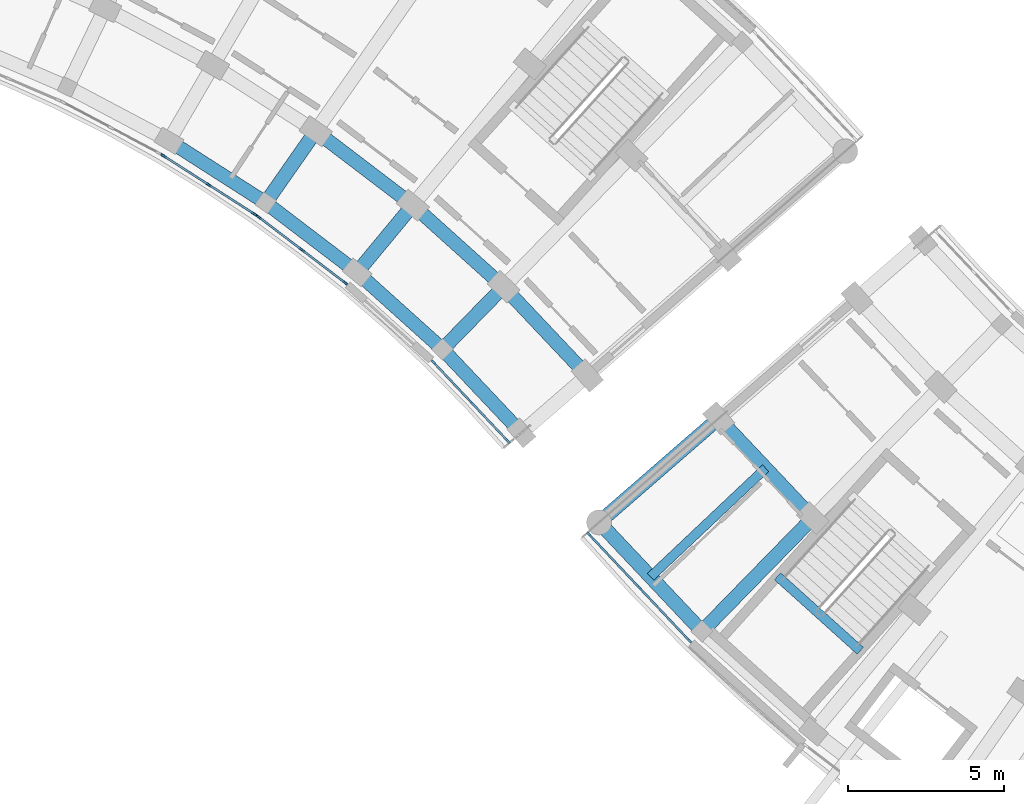
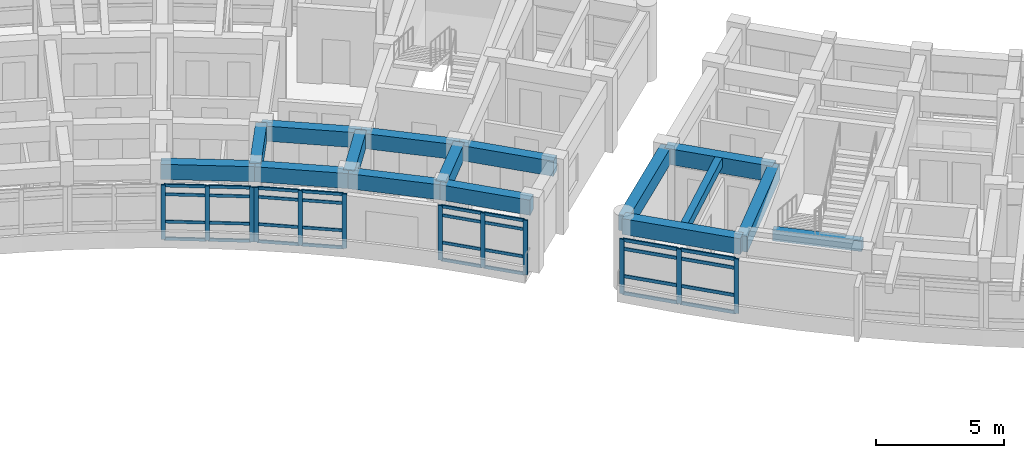
# One storey, part 29 of 83: 44 members, 16 beams, 4 elements without a shape of their own.
"""IFC4 building model written with IfcOpenShell, lengths in metres."""

from ifc_helpers import new_model, si_unit, direction, frame, origin, origin_2d, place, context, subcontext, project, spatial, rectangle, extrude, material, material_profile, profile_set, type_object, element, aggregate, save


model = new_model("IFC4")

# Units and contexts
model_context = context("Model", 3, precision=1e-05, world=origin(), true_north=direction((0.0, 1.0)))
body_context = subcontext(model_context, "Body", "Model", "MODEL_VIEW")
ifc_project = project(units=[si_unit("LENGTHUNIT", "METRE"), si_unit("AREAUNIT", "SQUARE_METRE"), si_unit("VOLUMEUNIT", "CUBIC_METRE"), si_unit("PLANEANGLEUNIT", "RADIAN"), si_unit("MASSUNIT", "GRAM", prefix="KILO")], contexts=[model_context])

# Site, building, storey
site_placement = place(None, origin())
site = spatial("IfcSite", under=ifc_project, at=site_placement, CompositionType="ELEMENT")
building_placement = place(site_placement, origin())
building = spatial("IfcBuilding", under=site, at=building_placement, Name="Zimvara Arc Housing Community", CompositionType="ELEMENT")
storey_placement = place(building_placement, frame((0.0, 0.0, 4.5)))
storey = spatial("IfcBuildingStorey", under=building, at=storey_placement, Name="L01", CompositionType="ELEMENT", Elevation=4.5)

# Beams
ifc_material_1 = material(Name="Concrete C40/50", Category="concrete")
ifc_material_profile_1 = material_profile(ifc_material_1, rectangle(XDim=0.300048828125, YDim=0.449951171875, at=origin_2d()), Name="RC 300x450")
ifc_profile_set_1 = profile_set([ifc_material_profile_1], Name="Concrete C40/50")
beam_type_1 = type_object("IfcBeamType", Name="BM-RC-300x450", PredefinedType="JOIST", material=ifc_profile_set_1)
beam_1_placement = place(storey_placement, frame((86.88427734375, 72.966552734375, 3.135009765625), z_axis=(-0.727299876429, -0.686319815936, 0.0), x_axis=(0.686319815936, -0.727299876429, 0.0)))
element("IfcBeam", 1, at=beam_1_placement, inside=storey, type_object=beam_type_1, Name="bm:blkC:L01:joist:b0", PredefinedType="JOIST", context=body_context, shape_type="SweptSolid", body=[
    extrude(rectangle(XDim=0.300048828125, YDim=0.449951171875, at=origin_2d()), origin(), (0.0, 0.0, 1.0), 5.075927734375),
])
ifc_material_2 = material(Name="Concrete C40/50", Category="concrete")
ifc_material_profile_2 = material_profile(ifc_material_2, rectangle(XDim=0.300048828125, YDim=0.5, at=origin_2d()), Name="RC 300x500")
ifc_profile_set_2 = profile_set([ifc_material_profile_2], Name="Concrete C40/50")
beam_type_2 = type_object("IfcBeamType", Name="BM-RC-300x500", PredefinedType="BEAM", material=ifc_profile_set_2)
beam_2_placement = place(storey_placement, frame((87.264404296875, 69.50048828125, 1.550048828125), z_axis=(0.74342674804, -0.668817366924, 0.0), x_axis=(0.668817366924, 0.74342674804, 0.0)))
element("IfcBeam", 2, at=beam_2_placement, inside=storey, type_object=beam_type_2, Name="bm:stair_trim:ST-C1:L01:mid", PredefinedType="BEAM", context=body_context, shape_type="SweptSolid", body=[
    extrude(rectangle(XDim=0.300048828125, YDim=0.5, at=origin_2d()), origin(), (0.0, 0.0, 1.0), 3.570068359375),
])
ifc_material_3 = material(Name="Concrete C40/50", Category="concrete")
ifc_material_profile_3 = material_profile(ifc_material_3, rectangle(XDim=0.43994140625, YDim=0.719970703125, at=origin_2d()), Name="RC 440x720")
ifc_profile_set_3 = profile_set([ifc_material_profile_3], Name="Concrete C40/50")
beam_type_3 = type_object("IfcBeamType", Name="BM-RC-440x720", PredefinedType="BEAM", material=ifc_profile_set_3)
beam_3_placement = place(storey_placement, frame((67.750732421875, 83.46435546875, 3.0), z_axis=(0.842272604079, -0.539051816079, 0.0), x_axis=(0.539051816079, 0.842272604079, 0.0)))
element("IfcBeam", 3, at=beam_3_placement, inside=storey, type_object=beam_type_3, Name="bm:blkB:L01:chord:r0:b6", PredefinedType="BEAM", context=body_context, shape_type="SweptSolid", body=[
    extrude(rectangle(XDim=0.43994140625, YDim=0.719970703125, at=origin_2d()), origin(), (0.0, 0.0, 1.0), 3.684326171875),
])
beam_4_placement = place(storey_placement, frame((70.85400390625, 81.478271484375, 3.0), z_axis=(0.795453014049, -0.606015265847, 0.0), x_axis=(0.606015265847, 0.795453014049, 0.0)))
element("IfcBeam", 4, at=beam_4_placement, inside=storey, type_object=beam_type_3, Name="bm:blkB:L01:chord:r0:b7", PredefinedType="BEAM", context=body_context, shape_type="SweptSolid", body=[
    extrude(rectangle(XDim=0.43994140625, YDim=0.719970703125, at=origin_2d()), origin(), (0.0, 0.0, 1.0), 3.6845703125),
])
beam_5_placement = place(storey_placement, frame((73.784912109375, 79.245361328125, 3.0), z_axis=(0.743366631239, -0.668884183966, 0.0), x_axis=(0.668884183966, 0.743366631239, 0.0)))
element("IfcBeam", 5, at=beam_5_placement, inside=storey, type_object=beam_type_3, Name="bm:blkB:L01:chord:r0:b8", PredefinedType="BEAM", context=body_context, shape_type="SweptSolid", body=[
    extrude(rectangle(XDim=0.43994140625, YDim=0.719970703125, at=origin_2d()), origin(), (0.0, 0.0, 1.0), 3.684326171875),
])
beam_6_placement = place(storey_placement, frame((76.523681640625, 76.781005859375, 3.0), z_axis=(0.686335517678, -0.727285059088, 0.0), x_axis=(0.727285059088, 0.686335517678, 0.0)))
element("IfcBeam", 6, at=beam_6_placement, inside=storey, type_object=beam_type_3, Name="bm:blkB:L01:chord:r0:b9", PredefinedType="BEAM", context=body_context, shape_type="SweptSolid", body=[
    extrude(rectangle(XDim=0.43994140625, YDim=0.719970703125, at=origin_2d()), origin(), (0.0, 0.0, 1.0), 3.6845703125),
])
for number, where, z_axis, x_axis, name in (
    (7, (72.458251953125, 83.77294921875, 3.0), (0.795470387579, -0.605992460749, 0.0), (0.605992460749, 0.795470387579, 0.0), "bm:blkB:L01:chord:r1:b7"),
    (8, (75.571044921875, 81.401611328125, 3.0), (0.743402719516, -0.668844074965, 0.0), (0.668844074965, 0.743402719516, 0.0), "bm:blkB:L01:chord:r1:b8"),
):
    element("IfcBeam", number, at=place(storey_placement, frame(where, z_axis=z_axis, x_axis=x_axis)), inside=storey, type_object=beam_type_3, Name=name, PredefinedType="BEAM", context=body_context, shape_type="SweptSolid", body=[
        extrude(rectangle(XDim=0.43994140625, YDim=0.719970703125, at=origin_2d()), origin(), (0.0, 0.0, 1.0), 3.9130859375),
    ])
beam_7_placement = place(storey_placement, frame((78.47998046875, 78.784423828125, 3.0), z_axis=(0.686315710793, -0.727303750243, 0.0), x_axis=(0.727303750243, 0.686315710793, 0.0)))
element("IfcBeam", 9, at=beam_7_placement, inside=storey, type_object=beam_type_3, Name="bm:blkB:L01:chord:r1:b9", PredefinedType="BEAM", context=body_context, shape_type="SweptSolid", body=[
    extrude(rectangle(XDim=0.43994140625, YDim=0.719970703125, at=origin_2d()), origin(), (0.0, 0.0, 1.0), 3.913330078125),
])
ifc_material_4 = material(Name="Concrete C40/50", Category="concrete")
ifc_material_profile_4 = material_profile(ifc_material_4, rectangle(XDim=0.449951171875, YDim=0.75, at=origin_2d()), Name="RC 450x750")
ifc_profile_set_4 = profile_set([ifc_material_profile_4], Name="Concrete C40/50")
beam_type_4 = type_object("IfcBeamType", Name="BM-RC-450x750", PredefinedType="BEAM", material=ifc_profile_set_4)
beam_8_placement = place(storey_placement, frame((70.85400390625, 81.478271484375, 2.985107421875), z_axis=(0.57297651105, 0.819571789281, 0.0), x_axis=(-0.819571789281, 0.57297651105, 0.0)))
element("IfcBeam", 10, at=beam_8_placement, inside=storey, type_object=beam_type_4, Name="bm:blkB:L01:rad:b7:r01", PredefinedType="BEAM", context=body_context, shape_type="SweptSolid", body=[
    extrude(rectangle(XDim=0.449951171875, YDim=0.75, at=origin_2d()), origin(), (0.0, 0.0, 1.0), 2.7998046875),
])
for number, where, z_axis, x_axis, name in (
    (11, (73.784912109375, 79.245361328125, 2.985107421875), (0.637917412223, 0.770104781951, 0.0), (-0.770104781951, 0.637917412223, 0.0), "bm:blkB:L01:rad:b8:r01"),
    (12, (76.523681640625, 76.781005859375, 2.985107421875), (0.698643013894, 0.71547043205, 0.0), (-0.71547043205, 0.698643013894, 0.0), "bm:blkB:L01:rad:b9:r01"),
):
    element("IfcBeam", number, at=place(storey_placement, frame(where, z_axis=z_axis, x_axis=x_axis)), inside=storey, type_object=beam_type_4, Name=name, PredefinedType="BEAM", context=body_context, shape_type="SweptSolid", body=[
        extrude(rectangle(XDim=0.449951171875, YDim=0.75, at=origin_2d()), origin(), (0.0, 0.0, 1.0), 2.800048828125),
    ])
beam_9_placement = place(storey_placement, frame((85.376708984375, 74.56396484375, 2.985107421875), z_axis=(0.686331377274, -0.727288966347, 0.0), x_axis=(0.727288966347, 0.686331377274, 0.0)))
element("IfcBeam", 13, at=beam_9_placement, inside=storey, type_object=beam_type_4, Name="bm:blkC:L01:chord:r2:b0", PredefinedType="BEAM", context=body_context, shape_type="SweptSolid", body=[
    extrude(rectangle(XDim=0.449951171875, YDim=0.75, at=origin_2d()), origin(), (0.0, 0.0, 1.0), 4.39306640625),
])
beam_10_placement = place(storey_placement, frame((81.542724609375, 71.231201171875, 2.985107421875), z_axis=(0.686320791145, -0.727298956168, 0.0), x_axis=(0.727298956168, 0.686320791145, 0.0)))
element("IfcBeam", 14, at=beam_10_placement, inside=storey, type_object=beam_type_4, Name="bm:blkC:L01:chord:r3:b0", PredefinedType="BEAM", context=body_context, shape_type="SweptSolid", body=[
    extrude(rectangle(XDim=0.449951171875, YDim=0.75, at=origin_2d()), origin(), (0.0, 0.0, 1.0), 4.807861328125),
])
for number, where, z_axis, x_axis, name in (
    (15, (85.376708984375, 74.56396484375, 2.985107421875), (-0.754716217499, -0.656051393599, 0.0), (0.656051393599, -0.754716217499, 0.0), "bm:blkC:L01:rad:b0:r23"),
    (16, (88.391845703125, 71.368896484375, 2.985107421875), (-0.698670885014, -0.71544321538, 0.0), (0.71544321538, -0.698670885014, 0.0), "bm:blkC:L01:rad:b1:r23"),
):
    element("IfcBeam", number, at=place(storey_placement, frame(where, z_axis=z_axis, x_axis=x_axis)), inside=storey, type_object=beam_type_4, Name=name, PredefinedType="BEAM", context=body_context, shape_type="SweptSolid", body=[
        extrude(rectangle(XDim=0.449951171875, YDim=0.75, at=origin_2d()), origin(), (0.0, 0.0, 1.0), 5.080078125),
    ])

# Curtain wall, members
ifc_material_5 = material(Name="Anodised Aluminium AW-6063", Category="aluminium")
curtain_wall_type_1 = type_object("IfcCurtainWallType", Name="CW-SYS-04", PredefinedType="USERDEFINED", material=ifc_material_5)
curtain_wall_1_placement = place(storey_placement, origin())
curtain_wall_1 = element("IfcCurtainWall", 17, at=curtain_wall_1_placement, inside=storey, type_object=curtain_wall_type_1, Name="cw:blkB:L01:in:b6", ObjectType="CURTAIN WALL", PredefinedType="USERDEFINED")
ifc_material_6 = material(Name="Anodised Aluminium AW-6063", Category="aluminium")
ifc_material_profile_5 = material_profile(ifc_material_6, rectangle(XDim=0.06494140625, YDim=0.179931640625, at=origin_2d()), Name="ALU 65x180")
ifc_profile_set_5 = profile_set([ifc_material_profile_5], Name="Anodised Aluminium AW-6063")
member_type_1 = type_object("IfcMemberType", Name="CWM-65x150", PredefinedType="MULLION", material=ifc_profile_set_5)
member_1_placement = place(storey_placement, frame((67.576416015625, 82.982666015625, 0.0), z_axis=(0.0, 0.0, 1.0), x_axis=(0.539064085203, 0.842264751752, 0.0)))
member_1 = element("IfcMember", 18, at=member_1_placement, type_object=member_type_1, Name="CW04 mullion 1", PredefinedType="MULLION", context=body_context, shape_type="SweptSolid", body=[
    extrude(rectangle(XDim=0.06494140625, YDim=0.179931640625, at=origin_2d()), origin(), (0.0, 0.0, 1.0), 2.60009765625),
])
member_2_placement = place(storey_placement, frame((69.032958984375, 82.050537109375, 0.0), z_axis=(0.0, 0.0, 1.0), x_axis=(0.539064085203, 0.842264751752, 0.0)))
member_2 = element("IfcMember", 19, at=member_2_placement, type_object=member_type_1, Name="CW04 mullion 2", PredefinedType="MULLION", context=body_context, shape_type="SweptSolid", body=[
    extrude(rectangle(XDim=0.06494140625, YDim=0.179931640625, at=origin_2d()), origin(), (0.0, 0.0, 1.0), 2.60009765625),
])
member_3_placement = place(storey_placement, frame((70.489501953125, 81.118408203125, 0.0), z_axis=(0.0, 0.0, 1.0), x_axis=(0.539064085203, 0.842264751752, 0.0)))
member_3 = element("IfcMember", 20, at=member_3_placement, type_object=member_type_1, Name="CW04 mullion 3", PredefinedType="MULLION", context=body_context, shape_type="SweptSolid", body=[
    extrude(rectangle(XDim=0.06494140625, YDim=0.179931640625, at=origin_2d()), origin(), (0.0, 0.0, 1.0), 2.60009765625),
])

ifc_material_7 = material(Name="Anodised Aluminium AW-6063", Category="aluminium")
curtain_wall_type_2 = type_object("IfcCurtainWallType", Name="CW-SYS-06", PredefinedType="USERDEFINED", material=ifc_material_7)
curtain_wall_2_placement = place(storey_placement, origin())
curtain_wall_2 = element("IfcCurtainWall", 21, at=curtain_wall_2_placement, inside=storey, type_object=curtain_wall_type_2, Name="cw:blkB:L01:in:b7", ObjectType="CURTAIN WALL", PredefinedType="USERDEFINED")
member_4_placement = place(storey_placement, frame((70.64111328125, 81.012451171875, 0.0), z_axis=(0.0, 0.0, 1.0), x_axis=(0.605988318533, 0.795473543119, 0.0)))
member_4 = element("IfcMember", 22, at=member_4_placement, type_object=member_type_1, Name="CW06 mullion 1", PredefinedType="MULLION", context=body_context, shape_type="SweptSolid", body=[
    extrude(rectangle(XDim=0.06494140625, YDim=0.179931640625, at=origin_2d()), origin(), (0.0, 0.0, 1.0), 2.60009765625),
])
member_5_placement = place(storey_placement, frame((72.0166015625, 79.96435546875, 0.0), z_axis=(0.0, 0.0, 1.0), x_axis=(0.605988318533, 0.795473543119, 0.0)))
member_5 = element("IfcMember", 23, at=member_5_placement, type_object=member_type_1, Name="CW06 mullion 2", PredefinedType="MULLION", context=body_context, shape_type="SweptSolid", body=[
    extrude(rectangle(XDim=0.06494140625, YDim=0.179931640625, at=origin_2d()), origin(), (0.0, 0.0, 1.0), 2.60009765625),
])
member_6_placement = place(storey_placement, frame((73.392333984375, 78.91650390625, 0.0), z_axis=(0.0, 0.0, 1.0), x_axis=(0.605988318533, 0.795473543119, 0.0)))
member_6 = element("IfcMember", 24, at=member_6_placement, type_object=member_type_1, Name="CW06 mullion 3", PredefinedType="MULLION", context=body_context, shape_type="SweptSolid", body=[
    extrude(rectangle(XDim=0.06494140625, YDim=0.179931640625, at=origin_2d()), origin(), (0.0, 0.0, 1.0), 2.60009765625),
])

ifc_material_8 = material(Name="Anodised Aluminium AW-6063", Category="aluminium")
curtain_wall_type_3 = type_object("IfcCurtainWallType", Name="CW-SYS-08", PredefinedType="USERDEFINED", material=ifc_material_8)
curtain_wall_3_placement = place(storey_placement, origin())
curtain_wall_3 = element("IfcCurtainWall", 25, at=curtain_wall_3_placement, inside=storey, type_object=curtain_wall_type_3, Name="cw:blkB:L01:in:b9", ObjectType="CURTAIN WALL", PredefinedType="USERDEFINED")
member_7_placement = place(storey_placement, frame((76.238037109375, 76.35595703125, 0.0), z_axis=(0.0, 0.0, 1.0), x_axis=(0.727293280483, 0.686326805658, 0.0)))
member_7 = element("IfcMember", 26, at=member_7_placement, type_object=member_type_1, Name="CW08 mullion 1", PredefinedType="MULLION", context=body_context, shape_type="SweptSolid", body=[
    extrude(rectangle(XDim=0.06494140625, YDim=0.179931640625, at=origin_2d()), origin(), (0.0, 0.0, 1.0), 2.60009765625),
])
member_8_placement = place(storey_placement, frame((77.4248046875, 75.098388671875, 0.0), z_axis=(0.0, 0.0, 1.0), x_axis=(0.727293280483, 0.686326805658, 0.0)))
member_8 = element("IfcMember", 27, at=member_8_placement, type_object=member_type_1, Name="CW08 mullion 2", PredefinedType="MULLION", context=body_context, shape_type="SweptSolid", body=[
    extrude(rectangle(XDim=0.06494140625, YDim=0.179931640625, at=origin_2d()), origin(), (0.0, 0.0, 1.0), 2.60009765625),
])
member_9_placement = place(storey_placement, frame((78.611572265625, 73.840576171875, 0.0), z_axis=(0.0, 0.0, 1.0), x_axis=(0.727293280483, 0.686326805658, 0.0)))
member_9 = element("IfcMember", 28, at=member_9_placement, type_object=member_type_1, Name="CW08 mullion 3", PredefinedType="MULLION", context=body_context, shape_type="SweptSolid", body=[
    extrude(rectangle(XDim=0.06494140625, YDim=0.179931640625, at=origin_2d()), origin(), (0.0, 0.0, 1.0), 2.60009765625),
])

ifc_material_9 = material(Name="Anodised Aluminium AW-6063", Category="aluminium")
curtain_wall_type_4 = type_object("IfcCurtainWallType", Name="CW-SYS-05", PredefinedType="USERDEFINED", material=ifc_material_9)
curtain_wall_4_placement = place(storey_placement, origin())
curtain_wall_4 = element("IfcCurtainWall", 29, at=curtain_wall_4_placement, inside=storey, type_object=curtain_wall_type_4, Name="cw:blkC:L01:out:b0", ObjectType="CURTAIN WALL", PredefinedType="USERDEFINED")
ifc_material_10 = material(Name="Anodised Aluminium AW-6063", Category="aluminium")
ifc_material_profile_6 = material_profile(ifc_material_10, rectangle(XDim=0.06494140625, YDim=0.195068359375, at=origin_2d()), Name="ALU 65x195")
ifc_profile_set_6 = profile_set([ifc_material_profile_6], Name="Anodised Aluminium AW-6063")
member_type_2 = type_object("IfcMemberType", Name="CWM-65x180", PredefinedType="MULLION", material=ifc_profile_set_6)
member_10_placement = place(storey_placement, frame((81.228759765625, 70.8359375, 0.0), z_axis=(0.0, 0.0, 1.0), x_axis=(0.727293647725, 0.686326416495, 0.0)))
member_10 = element("IfcMember", 30, at=member_10_placement, type_object=member_type_2, Name="CW05 mullion 1", PredefinedType="MULLION", context=body_context, shape_type="SweptSolid", body=[
    extrude(rectangle(XDim=0.06494140625, YDim=0.195068359375, at=origin_2d()), origin(), (0.0, 0.0, 1.0), 2.60009765625),
])
member_11_placement = place(storey_placement, frame((82.829345703125, 69.139892578125, 0.0), z_axis=(0.0, 0.0, 1.0), x_axis=(0.727293647725, 0.686326416495, 0.0)))
member_11 = element("IfcMember", 31, at=member_11_placement, type_object=member_type_2, Name="CW05 mullion 2", PredefinedType="MULLION", context=body_context, shape_type="SweptSolid", body=[
    extrude(rectangle(XDim=0.06494140625, YDim=0.195068359375, at=origin_2d()), origin(), (0.0, 0.0, 1.0), 2.60009765625),
])
member_12_placement = place(storey_placement, frame((84.4296875, 67.44384765625, 0.0), z_axis=(0.0, 0.0, 1.0), x_axis=(0.727293647725, 0.686326416495, 0.0)))
member_12 = element("IfcMember", 32, at=member_12_placement, type_object=member_type_2, Name="CW05 mullion 3", PredefinedType="MULLION", context=body_context, shape_type="SweptSolid", body=[
    extrude(rectangle(XDim=0.06494140625, YDim=0.195068359375, at=origin_2d()), origin(), (0.0, 0.0, 1.0), 2.60009765625),
])

# Member
ifc_material_11 = material(Name="Anodised Aluminium AW-6063", Category="aluminium")
ifc_material_profile_7 = material_profile(ifc_material_11, rectangle(XDim=0.06494140625, YDim=0.139892578125, at=origin_2d()), Name="ALU 65x140")
ifc_profile_set_7 = profile_set([ifc_material_profile_7], Name="Anodised Aluminium AW-6063")
member_type_3 = type_object("IfcMemberType", Name="CWT-65x120", PredefinedType="USERDEFINED", material=ifc_profile_set_7)
member_13_placement = place(storey_placement, frame((67.603759765625, 82.965087890625, 0.032470703125), z_axis=(0.842330007588, -0.538962112135, 0.0), x_axis=(0.538962112135, 0.842330007588, 0.0)))
member_13 = element("IfcMember", 33, at=member_13_placement, type_object=member_type_3, Name="CW04 transom 1.1", ObjectType="TRANSOM", PredefinedType="USERDEFINED", context=body_context, shape_type="SweptSolid", body=[
    extrude(rectangle(XDim=0.06494140625, YDim=0.139892578125, at=origin_2d()), origin(), (0.0, 0.0, 1.0), 1.664306640625),
])

member_14_placement = place(storey_placement, frame((67.603759765625, 82.965087890625, 0.85009765625), z_axis=(0.842330007588, -0.538962112135, 0.0), x_axis=(0.538962112135, 0.842330007588, 0.0)))
member_14 = element("IfcMember", 34, at=member_14_placement, type_object=member_type_3, Name="CW04 transom 1.2", ObjectType="TRANSOM", PredefinedType="USERDEFINED", context=body_context, shape_type="SweptSolid", body=[
    extrude(rectangle(XDim=0.06494140625, YDim=0.139892578125, at=origin_2d()), origin(), (0.0, 0.0, 1.0), 1.664306640625),
])

member_15_placement = place(storey_placement, frame((67.603759765625, 82.965087890625, 2.14990234375), z_axis=(0.842330007588, -0.538962112135, 0.0), x_axis=(0.538962112135, 0.842330007588, 0.0)))
member_15 = element("IfcMember", 35, at=member_15_placement, type_object=member_type_3, Name="CW04 transom 1.3", ObjectType="TRANSOM", PredefinedType="USERDEFINED", context=body_context, shape_type="SweptSolid", body=[
    extrude(rectangle(XDim=0.06494140625, YDim=0.139892578125, at=origin_2d()), origin(), (0.0, 0.0, 1.0), 1.664306640625),
])

member_16_placement = place(storey_placement, frame((67.603759765625, 82.965087890625, 2.5673828125), z_axis=(0.842330007588, -0.538962112135, 0.0), x_axis=(0.538962112135, 0.842330007588, 0.0)))
member_16 = element("IfcMember", 36, at=member_16_placement, type_object=member_type_3, Name="CW04 transom 1.4", ObjectType="TRANSOM", PredefinedType="USERDEFINED", context=body_context, shape_type="SweptSolid", body=[
    extrude(rectangle(XDim=0.06494140625, YDim=0.139892578125, at=origin_2d()), origin(), (0.0, 0.0, 1.0), 1.664306640625),
])

member_17_placement = place(storey_placement, frame((69.060302734375, 82.032958984375, 0.032470703125), z_axis=(0.842263408668, -0.539066183709, 0.0), x_axis=(0.539066183709, 0.842263408668, 0.0)))
member_17 = element("IfcMember", 37, at=member_17_placement, type_object=member_type_3, Name="CW04 transom 2.1", ObjectType="TRANSOM", PredefinedType="USERDEFINED", context=body_context, shape_type="SweptSolid", body=[
    extrude(rectangle(XDim=0.06494140625, YDim=0.139892578125, at=origin_2d()), origin(), (0.0, 0.0, 1.0), 1.664306640625),
])

member_18_placement = place(storey_placement, frame((69.060302734375, 82.032958984375, 0.85009765625), z_axis=(0.842263408668, -0.539066183709, 0.0), x_axis=(0.539066183709, 0.842263408668, 0.0)))
member_18 = element("IfcMember", 38, at=member_18_placement, type_object=member_type_3, Name="CW04 transom 2.2", ObjectType="TRANSOM", PredefinedType="USERDEFINED", context=body_context, shape_type="SweptSolid", body=[
    extrude(rectangle(XDim=0.06494140625, YDim=0.139892578125, at=origin_2d()), origin(), (0.0, 0.0, 1.0), 1.664306640625),
])

member_19_placement = place(storey_placement, frame((69.060302734375, 82.032958984375, 2.14990234375), z_axis=(0.842263408668, -0.539066183709, 0.0), x_axis=(0.539066183709, 0.842263408668, 0.0)))
member_19 = element("IfcMember", 39, at=member_19_placement, type_object=member_type_3, Name="CW04 transom 2.3", ObjectType="TRANSOM", PredefinedType="USERDEFINED", context=body_context, shape_type="SweptSolid", body=[
    extrude(rectangle(XDim=0.06494140625, YDim=0.139892578125, at=origin_2d()), origin(), (0.0, 0.0, 1.0), 1.664306640625),
])

member_20_placement = place(storey_placement, frame((69.060302734375, 82.032958984375, 2.5673828125), z_axis=(0.842263408668, -0.539066183709, 0.0), x_axis=(0.539066183709, 0.842263408668, 0.0)))
member_20 = element("IfcMember", 40, at=member_20_placement, type_object=member_type_3, Name="CW04 transom 2.4", ObjectType="TRANSOM", PredefinedType="USERDEFINED", context=body_context, shape_type="SweptSolid", body=[
    extrude(rectangle(XDim=0.06494140625, YDim=0.139892578125, at=origin_2d()), origin(), (0.0, 0.0, 1.0), 1.664306640625),
])

aggregate(curtain_wall_1, [member_1, member_2, member_3, member_13, member_14, member_15, member_16, member_17, member_18, member_19, member_20])

member_21_placement = place(storey_placement, frame((70.6669921875, 80.99267578125, 0.032470703125), z_axis=(0.795435087713, -0.606038795157, 0.0), x_axis=(0.606038795157, 0.795435087713, 0.0)))
member_21 = element("IfcMember", 41, at=member_21_placement, type_object=member_type_3, Name="CW06 transom 1.1", ObjectType="TRANSOM", PredefinedType="USERDEFINED", context=body_context, shape_type="SweptSolid", body=[
    extrude(rectangle(XDim=0.06494140625, YDim=0.139892578125, at=origin_2d()), origin(), (0.0, 0.0, 1.0), 1.6640625),
])

member_22_placement = place(storey_placement, frame((70.6669921875, 80.99267578125, 0.85009765625), z_axis=(0.795435087713, -0.606038795157, 0.0), x_axis=(0.606038795157, 0.795435087713, 0.0)))
member_22 = element("IfcMember", 42, at=member_22_placement, type_object=member_type_3, Name="CW06 transom 1.2", ObjectType="TRANSOM", PredefinedType="USERDEFINED", context=body_context, shape_type="SweptSolid", body=[
    extrude(rectangle(XDim=0.06494140625, YDim=0.139892578125, at=origin_2d()), origin(), (0.0, 0.0, 1.0), 1.6640625),
])

member_23_placement = place(storey_placement, frame((70.6669921875, 80.99267578125, 2.14990234375), z_axis=(0.795435087713, -0.606038795157, 0.0), x_axis=(0.606038795157, 0.795435087713, 0.0)))
member_23 = element("IfcMember", 43, at=member_23_placement, type_object=member_type_3, Name="CW06 transom 1.3", ObjectType="TRANSOM", PredefinedType="USERDEFINED", context=body_context, shape_type="SweptSolid", body=[
    extrude(rectangle(XDim=0.06494140625, YDim=0.139892578125, at=origin_2d()), origin(), (0.0, 0.0, 1.0), 1.6640625),
])

member_24_placement = place(storey_placement, frame((70.6669921875, 80.99267578125, 2.5673828125), z_axis=(0.795435087713, -0.606038795157, 0.0), x_axis=(0.606038795157, 0.795435087713, 0.0)))
member_24 = element("IfcMember", 44, at=member_24_placement, type_object=member_type_3, Name="CW06 transom 1.4", ObjectType="TRANSOM", PredefinedType="USERDEFINED", context=body_context, shape_type="SweptSolid", body=[
    extrude(rectangle(XDim=0.06494140625, YDim=0.139892578125, at=origin_2d()), origin(), (0.0, 0.0, 1.0), 1.6640625),
])

member_25_placement = place(storey_placement, frame((72.04248046875, 79.94482421875, 0.032470703125), z_axis=(0.795488960577, -0.605968079687, 0.0), x_axis=(0.605968079687, 0.795488960577, 0.0)))
member_25 = element("IfcMember", 45, at=member_25_placement, type_object=member_type_3, Name="CW06 transom 2.1", ObjectType="TRANSOM", PredefinedType="USERDEFINED", context=body_context, shape_type="SweptSolid", body=[
    extrude(rectangle(XDim=0.06494140625, YDim=0.139892578125, at=origin_2d()), origin(), (0.0, 0.0, 1.0), 1.664306640625),
])

member_26_placement = place(storey_placement, frame((72.04248046875, 79.94482421875, 0.85009765625), z_axis=(0.795488960577, -0.605968079687, 0.0), x_axis=(0.605968079687, 0.795488960577, 0.0)))
member_26 = element("IfcMember", 46, at=member_26_placement, type_object=member_type_3, Name="CW06 transom 2.2", ObjectType="TRANSOM", PredefinedType="USERDEFINED", context=body_context, shape_type="SweptSolid", body=[
    extrude(rectangle(XDim=0.06494140625, YDim=0.139892578125, at=origin_2d()), origin(), (0.0, 0.0, 1.0), 1.664306640625),
])

member_27_placement = place(storey_placement, frame((72.04248046875, 79.94482421875, 2.14990234375), z_axis=(0.795488960577, -0.605968079687, 0.0), x_axis=(0.605968079687, 0.795488960577, 0.0)))
member_27 = element("IfcMember", 47, at=member_27_placement, type_object=member_type_3, Name="CW06 transom 2.3", ObjectType="TRANSOM", PredefinedType="USERDEFINED", context=body_context, shape_type="SweptSolid", body=[
    extrude(rectangle(XDim=0.06494140625, YDim=0.139892578125, at=origin_2d()), origin(), (0.0, 0.0, 1.0), 1.664306640625),
])

member_28_placement = place(storey_placement, frame((72.04248046875, 79.94482421875, 2.5673828125), z_axis=(0.795488960577, -0.605968079687, 0.0), x_axis=(0.605968079687, 0.795488960577, 0.0)))
member_28 = element("IfcMember", 48, at=member_28_placement, type_object=member_type_3, Name="CW06 transom 2.4", ObjectType="TRANSOM", PredefinedType="USERDEFINED", context=body_context, shape_type="SweptSolid", body=[
    extrude(rectangle(XDim=0.06494140625, YDim=0.139892578125, at=origin_2d()), origin(), (0.0, 0.0, 1.0), 1.664306640625),
])

aggregate(curtain_wall_2, [member_4, member_5, member_6, member_21, member_22, member_23, member_24, member_25, member_26, member_27, member_28])

member_29_placement = place(storey_placement, frame((76.26025390625, 76.33251953125, 0.032470703125), z_axis=(0.686347817597, -0.727273451516, 0.0), x_axis=(0.727273451516, 0.686347817597, 0.0)))
member_29 = element("IfcMember", 49, at=member_29_placement, type_object=member_type_3, Name="CW08 transom 1.1", ObjectType="TRANSOM", PredefinedType="USERDEFINED", context=body_context, shape_type="SweptSolid", body=[
    extrude(rectangle(XDim=0.06494140625, YDim=0.139892578125, at=origin_2d()), origin(), (0.0, 0.0, 1.0), 1.664306640625),
])

member_30_placement = place(storey_placement, frame((76.26025390625, 76.33251953125, 0.85009765625), z_axis=(0.686347817597, -0.727273451516, 0.0), x_axis=(0.727273451516, 0.686347817597, 0.0)))
member_30 = element("IfcMember", 50, at=member_30_placement, type_object=member_type_3, Name="CW08 transom 1.2", ObjectType="TRANSOM", PredefinedType="USERDEFINED", context=body_context, shape_type="SweptSolid", body=[
    extrude(rectangle(XDim=0.06494140625, YDim=0.139892578125, at=origin_2d()), origin(), (0.0, 0.0, 1.0), 1.664306640625),
])

member_31_placement = place(storey_placement, frame((76.26025390625, 76.33251953125, 2.14990234375), z_axis=(0.686347817597, -0.727273451516, 0.0), x_axis=(0.727273451516, 0.686347817597, 0.0)))
member_31 = element("IfcMember", 51, at=member_31_placement, type_object=member_type_3, Name="CW08 transom 1.3", ObjectType="TRANSOM", PredefinedType="USERDEFINED", context=body_context, shape_type="SweptSolid", body=[
    extrude(rectangle(XDim=0.06494140625, YDim=0.139892578125, at=origin_2d()), origin(), (0.0, 0.0, 1.0), 1.664306640625),
])

member_32_placement = place(storey_placement, frame((76.26025390625, 76.33251953125, 2.5673828125), z_axis=(0.686347817597, -0.727273451516, 0.0), x_axis=(0.727273451516, 0.686347817597, 0.0)))
member_32 = element("IfcMember", 52, at=member_32_placement, type_object=member_type_3, Name="CW08 transom 1.4", ObjectType="TRANSOM", PredefinedType="USERDEFINED", context=body_context, shape_type="SweptSolid", body=[
    extrude(rectangle(XDim=0.06494140625, YDim=0.139892578125, at=origin_2d()), origin(), (0.0, 0.0, 1.0), 1.664306640625),
])

member_33_placement = place(storey_placement, frame((77.447021484375, 75.07470703125, 0.032470703125), z_axis=(0.686347817597, -0.727273451516, 0.0), x_axis=(0.727273451516, 0.686347817597, 0.0)))
member_33 = element("IfcMember", 53, at=member_33_placement, type_object=member_type_3, Name="CW08 transom 2.1", ObjectType="TRANSOM", PredefinedType="USERDEFINED", context=body_context, shape_type="SweptSolid", body=[
    extrude(rectangle(XDim=0.06494140625, YDim=0.139892578125, at=origin_2d()), origin(), (0.0, 0.0, 1.0), 1.664306640625),
])

member_34_placement = place(storey_placement, frame((77.447021484375, 75.07470703125, 0.85009765625), z_axis=(0.686347817597, -0.727273451516, 0.0), x_axis=(0.727273451516, 0.686347817597, 0.0)))
member_34 = element("IfcMember", 54, at=member_34_placement, type_object=member_type_3, Name="CW08 transom 2.2", ObjectType="TRANSOM", PredefinedType="USERDEFINED", context=body_context, shape_type="SweptSolid", body=[
    extrude(rectangle(XDim=0.06494140625, YDim=0.139892578125, at=origin_2d()), origin(), (0.0, 0.0, 1.0), 1.664306640625),
])

member_35_placement = place(storey_placement, frame((77.447021484375, 75.07470703125, 2.14990234375), z_axis=(0.686347817597, -0.727273451516, 0.0), x_axis=(0.727273451516, 0.686347817597, 0.0)))
member_35 = element("IfcMember", 55, at=member_35_placement, type_object=member_type_3, Name="CW08 transom 2.3", ObjectType="TRANSOM", PredefinedType="USERDEFINED", context=body_context, shape_type="SweptSolid", body=[
    extrude(rectangle(XDim=0.06494140625, YDim=0.139892578125, at=origin_2d()), origin(), (0.0, 0.0, 1.0), 1.664306640625),
])

member_36_placement = place(storey_placement, frame((77.447021484375, 75.07470703125, 2.5673828125), z_axis=(0.686347817597, -0.727273451516, 0.0), x_axis=(0.727273451516, 0.686347817597, 0.0)))
member_36 = element("IfcMember", 56, at=member_36_placement, type_object=member_type_3, Name="CW08 transom 2.4", ObjectType="TRANSOM", PredefinedType="USERDEFINED", context=body_context, shape_type="SweptSolid", body=[
    extrude(rectangle(XDim=0.06494140625, YDim=0.139892578125, at=origin_2d()), origin(), (0.0, 0.0, 1.0), 1.664306640625),
])

aggregate(curtain_wall_3, [member_7, member_8, member_9, member_29, member_30, member_31, member_32, member_33, member_34, member_35, member_36])

ifc_material_12 = material(Name="Anodised Aluminium AW-6063", Category="aluminium")
ifc_material_profile_8 = material_profile(ifc_material_12, rectangle(XDim=0.06494140625, YDim=0.155029296875, at=origin_2d()), Name="ALU 65x155")
ifc_profile_set_8 = profile_set([ifc_material_profile_8], Name="Anodised Aluminium AW-6063")
member_type_4 = type_object("IfcMemberType", Name="CWT-65x140", PredefinedType="USERDEFINED", material=ifc_profile_set_8)
member_37_placement = place(storey_placement, frame((81.251220703125, 70.812255859375, 0.032470703125), z_axis=(0.68629138792, -0.727326701604, 0.0), x_axis=(0.727326701604, 0.68629138792, 0.0)))
member_37 = element("IfcMember", 57, at=member_37_placement, type_object=member_type_4, Name="CW05 transom 1.1", ObjectType="TRANSOM", PredefinedType="USERDEFINED", context=body_context, shape_type="SweptSolid", body=[
    extrude(rectangle(XDim=0.06494140625, YDim=0.155029296875, at=origin_2d()), origin(), (0.0, 0.0, 1.0), 2.266845703125),
])

member_38_placement = place(storey_placement, frame((81.251220703125, 70.812255859375, 0.85009765625), z_axis=(0.68629138792, -0.727326701604, 0.0), x_axis=(0.727326701604, 0.68629138792, 0.0)))
member_38 = element("IfcMember", 58, at=member_38_placement, type_object=member_type_4, Name="CW05 transom 1.2", ObjectType="TRANSOM", PredefinedType="USERDEFINED", context=body_context, shape_type="SweptSolid", body=[
    extrude(rectangle(XDim=0.06494140625, YDim=0.155029296875, at=origin_2d()), origin(), (0.0, 0.0, 1.0), 2.266845703125),
])

member_39_placement = place(storey_placement, frame((81.251220703125, 70.812255859375, 2.14990234375), z_axis=(0.68629138792, -0.727326701604, 0.0), x_axis=(0.727326701604, 0.68629138792, 0.0)))
member_39 = element("IfcMember", 59, at=member_39_placement, type_object=member_type_4, Name="CW05 transom 1.3", ObjectType="TRANSOM", PredefinedType="USERDEFINED", context=body_context, shape_type="SweptSolid", body=[
    extrude(rectangle(XDim=0.06494140625, YDim=0.155029296875, at=origin_2d()), origin(), (0.0, 0.0, 1.0), 2.266845703125),
])

member_40_placement = place(storey_placement, frame((81.251220703125, 70.812255859375, 2.5673828125), z_axis=(0.68629138792, -0.727326701604, 0.0), x_axis=(0.727326701604, 0.68629138792, 0.0)))
member_40 = element("IfcMember", 60, at=member_40_placement, type_object=member_type_4, Name="CW05 transom 1.4", ObjectType="TRANSOM", PredefinedType="USERDEFINED", context=body_context, shape_type="SweptSolid", body=[
    extrude(rectangle(XDim=0.06494140625, YDim=0.155029296875, at=origin_2d()), origin(), (0.0, 0.0, 1.0), 2.266845703125),
])

member_41_placement = place(storey_placement, frame((82.8515625, 69.1162109375, 0.032470703125), z_axis=(0.686348357589, -0.727272941911, 0.0), x_axis=(0.727272941911, 0.686348357589, 0.0)))
member_41 = element("IfcMember", 61, at=member_41_placement, type_object=member_type_4, Name="CW05 transom 2.1", ObjectType="TRANSOM", PredefinedType="USERDEFINED", context=body_context, shape_type="SweptSolid", body=[
    extrude(rectangle(XDim=0.06494140625, YDim=0.155029296875, at=origin_2d()), origin(), (0.0, 0.0, 1.0), 2.266845703125),
])

member_42_placement = place(storey_placement, frame((82.8515625, 69.1162109375, 0.85009765625), z_axis=(0.686348357589, -0.727272941911, 0.0), x_axis=(0.727272941911, 0.686348357589, 0.0)))
member_42 = element("IfcMember", 62, at=member_42_placement, type_object=member_type_4, Name="CW05 transom 2.2", ObjectType="TRANSOM", PredefinedType="USERDEFINED", context=body_context, shape_type="SweptSolid", body=[
    extrude(rectangle(XDim=0.06494140625, YDim=0.155029296875, at=origin_2d()), origin(), (0.0, 0.0, 1.0), 2.266845703125),
])

member_43_placement = place(storey_placement, frame((82.8515625, 69.1162109375, 2.14990234375), z_axis=(0.686348357589, -0.727272941911, 0.0), x_axis=(0.727272941911, 0.686348357589, 0.0)))
member_43 = element("IfcMember", 63, at=member_43_placement, type_object=member_type_4, Name="CW05 transom 2.3", ObjectType="TRANSOM", PredefinedType="USERDEFINED", context=body_context, shape_type="SweptSolid", body=[
    extrude(rectangle(XDim=0.06494140625, YDim=0.155029296875, at=origin_2d()), origin(), (0.0, 0.0, 1.0), 2.266845703125),
])

member_44_placement = place(storey_placement, frame((82.8515625, 69.1162109375, 2.5673828125), z_axis=(0.686348357589, -0.727272941911, 0.0), x_axis=(0.727272941911, 0.686348357589, 0.0)))
member_44 = element("IfcMember", 64, at=member_44_placement, type_object=member_type_4, Name="CW05 transom 2.4", ObjectType="TRANSOM", PredefinedType="USERDEFINED", context=body_context, shape_type="SweptSolid", body=[
    extrude(rectangle(XDim=0.06494140625, YDim=0.155029296875, at=origin_2d()), origin(), (0.0, 0.0, 1.0), 2.266845703125),
])

aggregate(curtain_wall_4, [member_10, member_11, member_12, member_37, member_38, member_39, member_40, member_41, member_42, member_43, member_44])

save(model, "model.ifc")
